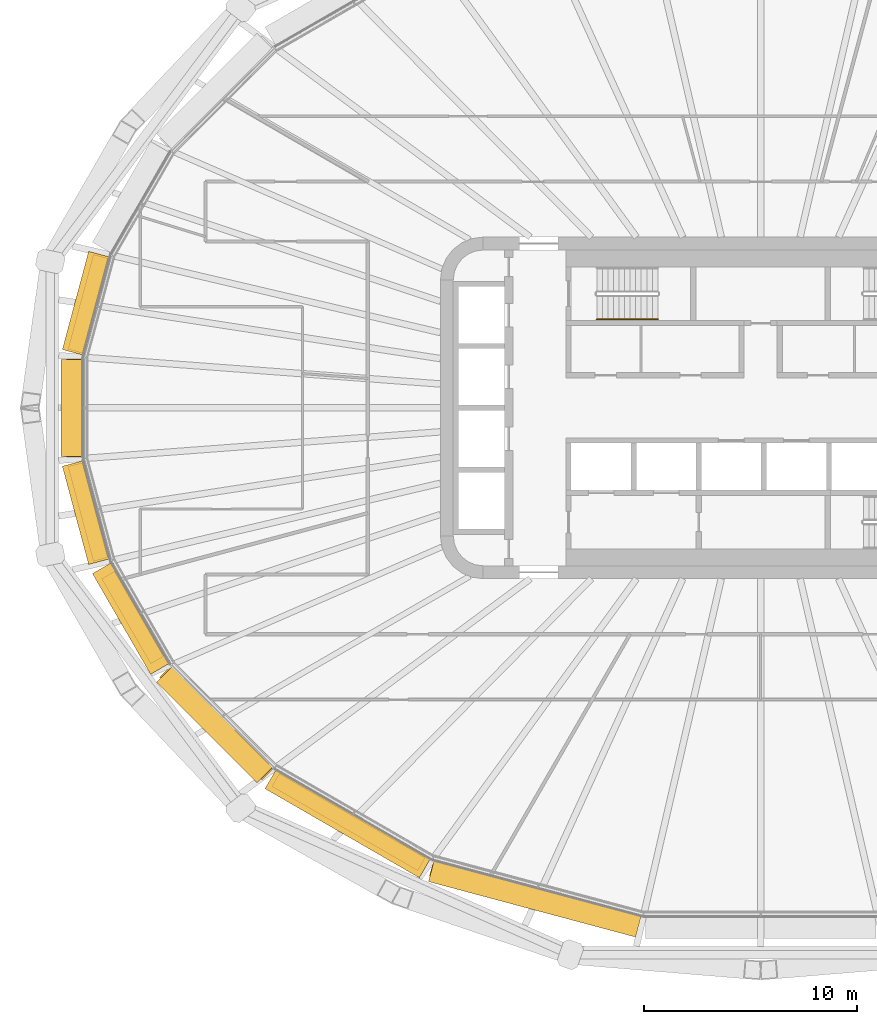
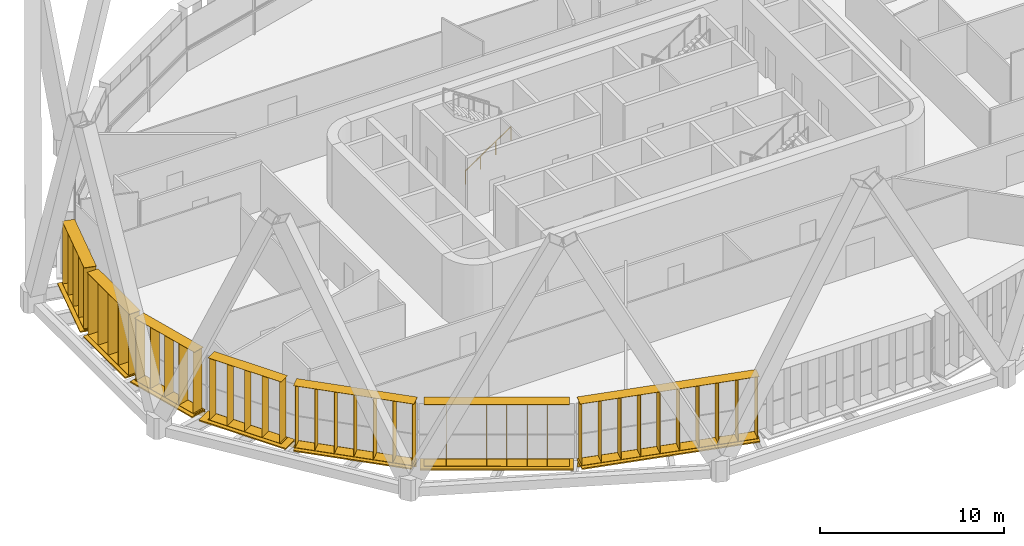
# One storey, part 21 of 26: 14 shading devices, 1 railing.
"""IFC4 building model written with IfcOpenShell, lengths in metres."""

from ifc_helpers import new_model, si_unit, direction, frame, origin, origin_2d, place, context, subcontext, project, spatial, rectangle, circle, extrude, material, type_object, element, save


model = new_model("IFC4")

# Units and contexts
model_context = context("Model", 3, precision=1e-05, world=origin(), true_north=direction((0.0, 1.0)))
body_context = subcontext(model_context, "Body", "Model", "MODEL_VIEW")
ifc_project = project(units=[si_unit("LENGTHUNIT", "METRE"), si_unit("AREAUNIT", "SQUARE_METRE"), si_unit("VOLUMEUNIT", "CUBIC_METRE"), si_unit("PLANEANGLEUNIT", "RADIAN"), si_unit("MASSUNIT", "GRAM", prefix="KILO")], contexts=[model_context])

# Site, building, storey
site_placement = place(None, origin())
site = spatial("IfcSite", under=ifc_project, at=site_placement, CompositionType="ELEMENT")
building_placement = place(site_placement, origin())
building = spatial("IfcBuilding", under=site, at=building_placement, Name="Sahrelin Media Tower", CompositionType="ELEMENT")
storey_placement = place(building_placement, frame((0.0, 0.0, 131.39990234375)))
storey = spatial("IfcBuildingStorey", under=building, at=storey_placement, Name="L26", CompositionType="ELEMENT", Elevation=131.39990234375)

# Shading devices
ifc_material_1 = material(Name="Champagne anodised aluminium 6063-T6", Category="aluminium")
shading_device_type_1 = type_object("IfcShadingDeviceType", Name="Fin cassette", PredefinedType="USERDEFINED", material=ifc_material_1)
placement_1 = place(storey_placement, frame((-31.107421875, 4.76806640625, 0.0), z_axis=(0.0, 0.0, 1.0), x_axis=(0.258807731996, 0.965928857556, 0.0)))
element("IfcShadingDevice", 1, at=placement_1, inside=storey, type_object=shading_device_type_1, Name="L26:FIN:L26-11", ObjectType="FIN", PredefinedType="USERDEFINED", context=body_context, shape_type="SweptSolid", body=[
    extrude(rectangle(XDim=4.60009765625, YDim=0.699951171875, at=origin_2d()), frame((0.0, 0.419921875, 0.0)), (0.0, 0.0, 1.0), 0.02001953125),
    extrude(rectangle(XDim=4.60009765625, YDim=0.699951171875, at=origin_2d()), frame((0.0, 0.419921875, 4.10009765625)), (0.0, 0.0, 1.0), 0.02001953125),
    extrude(rectangle(XDim=0.02001953125, YDim=0.699951171875, at=origin_2d()), frame((-2.199951171875, 0.419921875, 0.010009765625), z_axis=(0.0, 0.0, 1.0), x_axis=(1.0, 0.0, 0.0)), (0.0, 0.0, 1.0), 4.10009765625),
    extrude(rectangle(XDim=0.02001953125, YDim=0.699951171875, at=origin_2d()), frame((-1.10009765625, 0.419921875, 0.010009765625), z_axis=(0.0, 0.0, 1.0), x_axis=(1.0, 0.0, 0.0)), (0.0, 0.0, 1.0), 4.10009765625),
    extrude(rectangle(XDim=0.02001953125, YDim=0.699951171875, at=origin_2d()), frame((0.0, 0.419921875, 0.010009765625), z_axis=(0.0, 0.0, 1.0), x_axis=(1.0, 0.0, 0.0)), (0.0, 0.0, 1.0), 4.10009765625),
    extrude(rectangle(XDim=0.02001953125, YDim=0.699951171875, at=origin_2d()), frame((1.10009765625, 0.419921875, 0.010009765625), z_axis=(0.0, 0.0, 1.0), x_axis=(1.0, 0.0, 0.0)), (0.0, 0.0, 1.0), 4.10009765625),
    extrude(rectangle(XDim=0.02001953125, YDim=0.699951171875, at=origin_2d()), frame((2.199951171875, 0.419921875, 0.010009765625), z_axis=(0.0, 0.0, 1.0), x_axis=(1.0, 0.0, 0.0)), (0.0, 0.0, 1.0), 4.10009765625),
])
placement_2 = place(storey_placement, frame((-31.749267578125, 0.0, 0.0), z_axis=(0.0, 0.0, 1.0), x_axis=(0.0, 1.0, 0.0)))
element("IfcShadingDevice", 2, at=placement_2, inside=storey, type_object=shading_device_type_1, Name="L26:FIN:L26-12", ObjectType="FIN", PredefinedType="USERDEFINED", context=body_context, shape_type="SweptSolid", body=[
    extrude(rectangle(XDim=4.60009765625, YDim=0.699951171875, at=origin_2d()), frame((0.0, 0.419921875, 0.0)), (0.0, 0.0, 1.0), 0.02001953125),
    extrude(rectangle(XDim=4.60009765625, YDim=0.699951171875, at=origin_2d()), frame((0.0, 0.419921875, 4.10009765625)), (0.0, 0.0, 1.0), 0.02001953125),
    extrude(rectangle(XDim=0.02001953125, YDim=0.699951171875, at=origin_2d()), frame((-2.199951171875, 0.419921875, 0.010009765625), z_axis=(0.0, 0.0, 1.0), x_axis=(1.0, 0.0, 0.0)), (0.0, 0.0, 1.0), 4.10009765625),
    extrude(rectangle(XDim=0.02001953125, YDim=0.699951171875, at=origin_2d()), frame((-1.10009765625, 0.419921875, 0.010009765625), z_axis=(0.0, 0.0, 1.0), x_axis=(1.0, 0.0, 0.0)), (0.0, 0.0, 1.0), 4.10009765625),
    extrude(rectangle(XDim=0.02001953125, YDim=0.699951171875, at=origin_2d()), frame((0.0, 0.419921875, 0.010009765625), z_axis=(0.0, 0.0, 1.0), x_axis=(1.0, 0.0, 0.0)), (0.0, 0.0, 1.0), 4.10009765625),
    extrude(rectangle(XDim=0.02001953125, YDim=0.699951171875, at=origin_2d()), frame((1.10009765625, 0.419921875, 0.010009765625), z_axis=(0.0, 0.0, 1.0), x_axis=(1.0, 0.0, 0.0)), (0.0, 0.0, 1.0), 4.10009765625),
    extrude(rectangle(XDim=0.02001953125, YDim=0.699951171875, at=origin_2d()), frame((2.199951171875, 0.419921875, 0.010009765625), z_axis=(0.0, 0.0, 1.0), x_axis=(1.0, 0.0, 0.0)), (0.0, 0.0, 1.0), 4.10009765625),
])
placement_3 = place(storey_placement, frame((-31.107421875, -4.76806640625, 0.0), z_axis=(0.0, 0.0, 1.0), x_axis=(-0.258807731996, 0.965928857556, 0.0)))
element("IfcShadingDevice", 3, at=placement_3, inside=storey, type_object=shading_device_type_1, Name="L26:FIN:L26-13", ObjectType="FIN", PredefinedType="USERDEFINED", context=body_context, shape_type="SweptSolid", body=[
    extrude(rectangle(XDim=4.60009765625, YDim=0.699951171875, at=origin_2d()), frame((0.0, 0.419921875, 0.0)), (0.0, 0.0, 1.0), 0.02001953125),
    extrude(rectangle(XDim=4.60009765625, YDim=0.699951171875, at=origin_2d()), frame((0.0, 0.419921875, 4.10009765625)), (0.0, 0.0, 1.0), 0.02001953125),
    extrude(rectangle(XDim=0.02001953125, YDim=0.699951171875, at=origin_2d()), frame((-2.199951171875, 0.419921875, 0.010009765625), z_axis=(0.0, 0.0, 1.0), x_axis=(1.0, 0.0, 0.0)), (0.0, 0.0, 1.0), 4.10009765625),
    extrude(rectangle(XDim=0.02001953125, YDim=0.699951171875, at=origin_2d()), frame((-1.10009765625, 0.419921875, 0.010009765625), z_axis=(0.0, 0.0, 1.0), x_axis=(1.0, 0.0, 0.0)), (0.0, 0.0, 1.0), 4.10009765625),
    extrude(rectangle(XDim=0.02001953125, YDim=0.699951171875, at=origin_2d()), frame((0.0, 0.419921875, 0.010009765625), z_axis=(0.0, 0.0, 1.0), x_axis=(1.0, 0.0, 0.0)), (0.0, 0.0, 1.0), 4.10009765625),
    extrude(rectangle(XDim=0.02001953125, YDim=0.699951171875, at=origin_2d()), frame((1.10009765625, 0.419921875, 0.010009765625), z_axis=(0.0, 0.0, 1.0), x_axis=(1.0, 0.0, 0.0)), (0.0, 0.0, 1.0), 4.10009765625),
    extrude(rectangle(XDim=0.02001953125, YDim=0.699951171875, at=origin_2d()), frame((2.199951171875, 0.419921875, 0.010009765625), z_axis=(0.0, 0.0, 1.0), x_axis=(1.0, 0.0, 0.0)), (0.0, 0.0, 1.0), 4.10009765625),
])
placement_4 = place(storey_placement, frame((-29.053955078125, -9.608642578125, 0.0), z_axis=(0.0, 0.0, 1.0), x_axis=(-0.500011000363, 0.866019052629, 0.0)))
element("IfcShadingDevice", 4, at=placement_4, inside=storey, type_object=shading_device_type_1, Name="L26:FIN:L26-14", ObjectType="FIN", PredefinedType="USERDEFINED", context=body_context, shape_type="SweptSolid", body=[
    extrude(rectangle(XDim=4.60009765625, YDim=0.699951171875, at=origin_2d()), frame((0.0, 0.419921875, 0.0)), (0.0, 0.0, 1.0), 0.02001953125),
    extrude(rectangle(XDim=4.60009765625, YDim=0.699951171875, at=origin_2d()), frame((0.0, 0.419921875, 4.10009765625)), (0.0, 0.0, 1.0), 0.02001953125),
    extrude(rectangle(XDim=0.02001953125, YDim=0.699951171875, at=origin_2d()), frame((-2.199951171875, 0.419921875, 0.010009765625), z_axis=(0.0, 0.0, 1.0), x_axis=(1.0, 0.0, 0.0)), (0.0, 0.0, 1.0), 4.10009765625),
    extrude(rectangle(XDim=0.02001953125, YDim=0.699951171875, at=origin_2d()), frame((-1.10009765625, 0.419921875, 0.010009765625), z_axis=(0.0, 0.0, 1.0), x_axis=(1.0, 0.0, 0.0)), (0.0, 0.0, 1.0), 4.10009765625),
    extrude(rectangle(XDim=0.02001953125, YDim=0.699951171875, at=origin_2d()), frame((0.0, 0.419921875, 0.010009765625), z_axis=(0.0, 0.0, 1.0), x_axis=(1.0, 0.0, 0.0)), (0.0, 0.0, 1.0), 4.10009765625),
    extrude(rectangle(XDim=0.02001953125, YDim=0.699951171875, at=origin_2d()), frame((1.10009765625, 0.419921875, 0.010009765625), z_axis=(0.0, 0.0, 1.0), x_axis=(1.0, 0.0, 0.0)), (0.0, 0.0, 1.0), 4.10009765625),
    extrude(rectangle(XDim=0.02001953125, YDim=0.699951171875, at=origin_2d()), frame((2.199951171875, 0.419921875, 0.010009765625), z_axis=(0.0, 0.0, 1.0), x_axis=(1.0, 0.0, 0.0)), (0.0, 0.0, 1.0), 4.10009765625),
])
placement_5 = place(storey_placement, frame((-25.2177734375, -14.477783203125, 0.0), z_axis=(0.0, 0.0, 1.0), x_axis=(-0.707106781187, 0.707106781187, 0.0)))
element("IfcShadingDevice", 5, at=placement_5, inside=storey, type_object=shading_device_type_1, Name="L26:FIN:L26-15", ObjectType="FIN", PredefinedType="USERDEFINED", context=body_context, shape_type="SweptSolid", body=[
    extrude(rectangle(XDim=6.800048828125, YDim=0.699951171875, at=origin_2d()), frame((0.0, 0.419921875, 0.0)), (0.0, 0.0, 1.0), 0.02001953125),
    extrude(rectangle(XDim=6.800048828125, YDim=0.699951171875, at=origin_2d()), frame((0.0, 0.419921875, 4.10009765625)), (0.0, 0.0, 1.0), 0.02001953125),
    extrude(rectangle(XDim=0.02001953125, YDim=0.699951171875, at=origin_2d()), frame((-3.300048828125, 0.419921875, 0.010009765625), z_axis=(0.0, 0.0, 1.0), x_axis=(1.0, 0.0, 0.0)), (0.0, 0.0, 1.0), 4.10009765625),
    extrude(rectangle(XDim=0.02001953125, YDim=0.699951171875, at=origin_2d()), frame((-2.199951171875, 0.419921875, 0.010009765625), z_axis=(0.0, 0.0, 1.0), x_axis=(1.0, 0.0, 0.0)), (0.0, 0.0, 1.0), 4.10009765625),
    extrude(rectangle(XDim=0.02001953125, YDim=0.699951171875, at=origin_2d()), frame((-1.10009765625, 0.419921875, 0.010009765625), z_axis=(0.0, 0.0, 1.0), x_axis=(1.0, 0.0, 0.0)), (0.0, 0.0, 1.0), 4.10009765625),
    extrude(rectangle(XDim=0.02001953125, YDim=0.699951171875, at=origin_2d()), frame((0.0, 0.419921875, 0.010009765625), z_axis=(0.0, 0.0, 1.0), x_axis=(1.0, 0.0, 0.0)), (0.0, 0.0, 1.0), 4.10009765625),
    extrude(rectangle(XDim=0.02001953125, YDim=0.699951171875, at=origin_2d()), frame((1.10009765625, 0.419921875, 0.010009765625), z_axis=(0.0, 0.0, 1.0), x_axis=(1.0, 0.0, 0.0)), (0.0, 0.0, 1.0), 4.10009765625),
    extrude(rectangle(XDim=0.02001953125, YDim=0.699951171875, at=origin_2d()), frame((2.199951171875, 0.419921875, 0.010009765625), z_axis=(0.0, 0.0, 1.0), x_axis=(1.0, 0.0, 0.0)), (0.0, 0.0, 1.0), 4.10009765625),
    extrude(rectangle(XDim=0.02001953125, YDim=0.699951171875, at=origin_2d()), frame((3.300048828125, 0.419921875, 0.010009765625), z_axis=(0.0, 0.0, 1.0), x_axis=(1.0, 0.0, 0.0)), (0.0, 0.0, 1.0), 4.10009765625),
])
placement_6 = place(storey_placement, frame((-19.092041015625, -19.039306640625, 0.0), z_axis=(0.0, 0.0, 1.0), x_axis=(-0.866019052629, 0.500011000363, 0.0)))
element("IfcShadingDevice", 6, at=placement_6, inside=storey, type_object=shading_device_type_1, Name="L26:FIN:L26-16", ObjectType="FIN", PredefinedType="USERDEFINED", context=body_context, shape_type="SweptSolid", body=[
    extrude(rectangle(XDim=7.89990234375, YDim=0.699951171875, at=origin_2d()), frame((0.0, 0.419921875, 0.0)), (0.0, 0.0, 1.0), 0.02001953125),
    extrude(rectangle(XDim=7.89990234375, YDim=0.699951171875, at=origin_2d()), frame((0.0, 0.419921875, 4.10009765625)), (0.0, 0.0, 1.0), 0.02001953125),
    extrude(rectangle(XDim=0.02001953125, YDim=0.699951171875, at=origin_2d()), frame((-3.85009765625, 0.419921875, 0.010009765625), z_axis=(0.0, 0.0, 1.0), x_axis=(1.0, 0.0, 0.0)), (0.0, 0.0, 1.0), 4.10009765625),
    extrude(rectangle(XDim=0.02001953125, YDim=0.699951171875, at=origin_2d()), frame((-2.75, 0.419921875, 0.010009765625), z_axis=(0.0, 0.0, 1.0), x_axis=(1.0, 0.0, 0.0)), (0.0, 0.0, 1.0), 4.10009765625),
    extrude(rectangle(XDim=0.02001953125, YDim=0.699951171875, at=origin_2d()), frame((-1.64990234375, 0.419921875, 0.010009765625), z_axis=(0.0, 0.0, 1.0), x_axis=(1.0, 0.0, 0.0)), (0.0, 0.0, 1.0), 4.10009765625),
    extrude(rectangle(XDim=0.02001953125, YDim=0.699951171875, at=origin_2d()), frame((-0.550048828125, 0.419921875, 0.010009765625), z_axis=(0.0, 0.0, 1.0), x_axis=(1.0, 0.0, 0.0)), (0.0, 0.0, 1.0), 4.10009765625),
    extrude(rectangle(XDim=0.02001953125, YDim=0.699951171875, at=origin_2d()), frame((0.550048828125, 0.419921875, 0.010009765625), z_axis=(0.0, 0.0, 1.0), x_axis=(1.0, 0.0, 0.0)), (0.0, 0.0, 1.0), 4.10009765625),
    extrude(rectangle(XDim=0.02001953125, YDim=0.699951171875, at=origin_2d()), frame((1.64990234375, 0.419921875, 0.010009765625), z_axis=(0.0, 0.0, 1.0), x_axis=(1.0, 0.0, 0.0)), (0.0, 0.0, 1.0), 4.10009765625),
    extrude(rectangle(XDim=0.02001953125, YDim=0.699951171875, at=origin_2d()), frame((2.75, 0.419921875, 0.010009765625), z_axis=(0.0, 0.0, 1.0), x_axis=(1.0, 0.0, 0.0)), (0.0, 0.0, 1.0), 4.10009765625),
    extrude(rectangle(XDim=0.02001953125, YDim=0.699951171875, at=origin_2d()), frame((3.85009765625, 0.419921875, 0.010009765625), z_axis=(0.0, 0.0, 1.0), x_axis=(1.0, 0.0, 0.0)), (0.0, 0.0, 1.0), 4.10009765625),
])
placement_7 = place(storey_placement, frame((-10.4443359375, -22.501708984375, 0.0), z_axis=(0.0, 0.0, 1.0), x_axis=(-0.965928857556, 0.258807731996, 0.0)))
element("IfcShadingDevice", 7, at=placement_7, inside=storey, type_object=shading_device_type_1, Name="L26:FIN:L26-17", ObjectType="FIN", PredefinedType="USERDEFINED", context=body_context, shape_type="SweptSolid", body=[
    extrude(rectangle(XDim=10.10009765625, YDim=0.699951171875, at=origin_2d()), frame((0.0, 0.419921875, 0.0)), (0.0, 0.0, 1.0), 0.02001953125),
    extrude(rectangle(XDim=10.10009765625, YDim=0.699951171875, at=origin_2d()), frame((0.0, 0.419921875, 4.10009765625)), (0.0, 0.0, 1.0), 0.02001953125),
    extrude(rectangle(XDim=0.02001953125, YDim=0.699951171875, at=origin_2d()), frame((-4.949951171875, 0.419921875, 0.010009765625), z_axis=(0.0, 0.0, 1.0), x_axis=(1.0, 0.0, 0.0)), (0.0, 0.0, 1.0), 4.10009765625),
    extrude(rectangle(XDim=0.02001953125, YDim=0.699951171875, at=origin_2d()), frame((-3.85009765625, 0.419921875, 0.010009765625), z_axis=(0.0, 0.0, 1.0), x_axis=(1.0, 0.0, 0.0)), (0.0, 0.0, 1.0), 4.10009765625),
    extrude(rectangle(XDim=0.02001953125, YDim=0.699951171875, at=origin_2d()), frame((-2.75, 0.419921875, 0.010009765625), z_axis=(0.0, 0.0, 1.0), x_axis=(1.0, 0.0, 0.0)), (0.0, 0.0, 1.0), 4.10009765625),
    extrude(rectangle(XDim=0.02001953125, YDim=0.699951171875, at=origin_2d()), frame((-1.64990234375, 0.419921875, 0.010009765625), z_axis=(0.0, 0.0, 1.0), x_axis=(1.0, 0.0, 0.0)), (0.0, 0.0, 1.0), 4.10009765625),
    extrude(rectangle(XDim=0.02001953125, YDim=0.699951171875, at=origin_2d()), frame((-0.550048828125, 0.419921875, 0.010009765625), z_axis=(0.0, 0.0, 1.0), x_axis=(1.0, 0.0, 0.0)), (0.0, 0.0, 1.0), 4.10009765625),
    extrude(rectangle(XDim=0.02001953125, YDim=0.699951171875, at=origin_2d()), frame((0.550048828125, 0.419921875, 0.010009765625), z_axis=(0.0, 0.0, 1.0), x_axis=(1.0, 0.0, 0.0)), (0.0, 0.0, 1.0), 4.10009765625),
    extrude(rectangle(XDim=0.02001953125, YDim=0.699951171875, at=origin_2d()), frame((1.64990234375, 0.419921875, 0.010009765625), z_axis=(0.0, 0.0, 1.0), x_axis=(1.0, 0.0, 0.0)), (0.0, 0.0, 1.0), 4.10009765625),
    extrude(rectangle(XDim=0.02001953125, YDim=0.699951171875, at=origin_2d()), frame((2.75, 0.419921875, 0.010009765625), z_axis=(0.0, 0.0, 1.0), x_axis=(1.0, 0.0, 0.0)), (0.0, 0.0, 1.0), 4.10009765625),
    extrude(rectangle(XDim=0.02001953125, YDim=0.699951171875, at=origin_2d()), frame((3.85009765625, 0.419921875, 0.010009765625), z_axis=(0.0, 0.0, 1.0), x_axis=(1.0, 0.0, 0.0)), (0.0, 0.0, 1.0), 4.10009765625),
    extrude(rectangle(XDim=0.02001953125, YDim=0.699951171875, at=origin_2d()), frame((4.949951171875, 0.419921875, 0.010009765625), z_axis=(0.0, 0.0, 1.0), x_axis=(1.0, 0.0, 0.0)), (0.0, 0.0, 1.0), 4.10009765625),
])

# Railing
ifc_material_2 = material(Name="Steel S355", Category="steel")
railing_type = type_object("IfcRailingType", Name="Stair handrail 900", PredefinedType="HANDRAIL", material=ifc_material_2)
railing_placement = place(storey_placement, frame((-7.675048828125, 4.14990234375, 0.175048828125)))
element("IfcRailing", 8, at=railing_placement, inside=storey, type_object=railing_type, Name="L26 ST1 stair handrail 1", PredefinedType="HANDRAIL", context=body_context, shape_type="SweptSolid", body=[
    extrude(circle(Radius=0.02392578125, at=origin_2d()), frame((0.0, 0.0, 0.8759765625), z_axis=(0.829590901723, 0.0, 0.558371682465), x_axis=(0.0, 1.0, 0.0)), (0.0, 0.0, 1.0), 3.447509765625),
    extrude(circle(Radius=0.02099609375, at=origin_2d()), origin(), (0.0, 0.0, 1.0), 0.851806640625),
    extrude(circle(Radius=0.02099609375, at=origin_2d()), frame((0.953369140625, 0.0, 0.6416015625)), (0.0, 0.0, 1.0), 0.851806640625),
    extrude(circle(Radius=0.02099609375, at=origin_2d()), frame((1.90673828125, 0.0, 1.283447265625)), (0.0, 0.0, 1.0), 0.851806640625),
    extrude(circle(Radius=0.02099609375, at=origin_2d()), frame((2.860107421875, 0.0, 1.925048828125)), (0.0, 0.0, 1.0), 0.851806640625),
])

# Shading devices
shading_device_type_2 = type_object("IfcShadingDeviceType", Name="Sunshade band", PredefinedType="USERDEFINED", material=ifc_material_1)
element("IfcShadingDevice", 9, at=placement_1, inside=storey, type_object=shading_device_type_2, Name="L26:SUN:L26-11", ObjectType="SUNSHADE", PredefinedType="USERDEFINED", context=body_context, shape_type="SweptSolid", body=[
    extrude(rectangle(XDim=4.761474609375, YDim=0.050048828125, at=origin_2d()), frame((0.0, 0.044921875, -0.55126953125)), (0.0, 0.0, 1.0), 0.471435546875),
    extrude(rectangle(XDim=4.761474609375, YDim=1.0, at=origin_2d()), frame((0.0, 0.52001953125, -0.080078125)), (0.0, 0.0, 1.0), 0.080078125),
    extrude(rectangle(XDim=0.10009765625, YDim=0.074951171875, at=origin_2d()), frame((-2.28076171875, -0.017578125, -0.47021484375)), (0.0, 0.0, 1.0), 0.300048828125),
    extrude(rectangle(XDim=0.10009765625, YDim=0.074951171875, at=origin_2d()), frame((-0.76025390625, -0.017578125, -0.47021484375)), (0.0, 0.0, 1.0), 0.300048828125),
    extrude(rectangle(XDim=0.10009765625, YDim=0.074951171875, at=origin_2d()), frame((0.76025390625, -0.017578125, -0.47021484375)), (0.0, 0.0, 1.0), 0.300048828125),
    extrude(rectangle(XDim=0.10009765625, YDim=0.074951171875, at=origin_2d()), frame((2.28076171875, -0.017578125, -0.47021484375)), (0.0, 0.0, 1.0), 0.300048828125),
])
element("IfcShadingDevice", 10, at=placement_2, inside=storey, type_object=shading_device_type_2, Name="L26:SUN:L26-12", ObjectType="SUNSHADE", PredefinedType="USERDEFINED", context=body_context, shape_type="SweptSolid", body=[
    extrude(rectangle(XDim=4.543701171875, YDim=0.050048828125, at=origin_2d()), frame((0.0, 0.044921875, -0.55126953125)), (0.0, 0.0, 1.0), 0.471435546875),
    extrude(rectangle(XDim=4.543701171875, YDim=1.0, at=origin_2d()), frame((0.0, 0.52001953125, -0.080078125)), (0.0, 0.0, 1.0), 0.080078125),
    extrude(rectangle(XDim=0.10009765625, YDim=0.074951171875, at=origin_2d()), frame((-2.171875, -0.017578125, -0.47021484375)), (0.0, 0.0, 1.0), 0.300048828125),
    extrude(rectangle(XDim=0.10009765625, YDim=0.074951171875, at=origin_2d()), frame((-0.72412109375, -0.017578125, -0.47021484375)), (0.0, 0.0, 1.0), 0.300048828125),
    extrude(rectangle(XDim=0.10009765625, YDim=0.074951171875, at=origin_2d()), frame((0.72412109375, -0.017578125, -0.47021484375)), (0.0, 0.0, 1.0), 0.300048828125),
    extrude(rectangle(XDim=0.10009765625, YDim=0.074951171875, at=origin_2d()), frame((2.171875, -0.017578125, -0.47021484375)), (0.0, 0.0, 1.0), 0.300048828125),
])
element("IfcShadingDevice", 11, at=placement_3, inside=storey, type_object=shading_device_type_2, Name="L26:SUN:L26-13", ObjectType="SUNSHADE", PredefinedType="USERDEFINED", context=body_context, shape_type="SweptSolid", body=[
    extrude(rectangle(XDim=4.761474609375, YDim=0.050048828125, at=origin_2d()), frame((0.0, 0.044921875, -0.55126953125)), (0.0, 0.0, 1.0), 0.471435546875),
    extrude(rectangle(XDim=4.761474609375, YDim=1.0, at=origin_2d()), frame((0.0, 0.52001953125, -0.080078125)), (0.0, 0.0, 1.0), 0.080078125),
    extrude(rectangle(XDim=0.10009765625, YDim=0.074951171875, at=origin_2d()), frame((-2.28076171875, -0.017578125, -0.47021484375)), (0.0, 0.0, 1.0), 0.300048828125),
    extrude(rectangle(XDim=0.10009765625, YDim=0.074951171875, at=origin_2d()), frame((-0.76025390625, -0.017578125, -0.47021484375)), (0.0, 0.0, 1.0), 0.300048828125),
    extrude(rectangle(XDim=0.10009765625, YDim=0.074951171875, at=origin_2d()), frame((0.76025390625, -0.017578125, -0.47021484375)), (0.0, 0.0, 1.0), 0.300048828125),
    extrude(rectangle(XDim=0.10009765625, YDim=0.074951171875, at=origin_2d()), frame((2.28076171875, -0.017578125, -0.47021484375)), (0.0, 0.0, 1.0), 0.300048828125),
])
element("IfcShadingDevice", 12, at=placement_4, inside=storey, type_object=shading_device_type_2, Name="L26:SUN:L26-14", ObjectType="SUNSHADE", PredefinedType="USERDEFINED", context=body_context, shape_type="SweptSolid", body=[
    extrude(rectangle(XDim=5.445068359375, YDim=0.050048828125, at=origin_2d()), frame((0.0, 0.044921875, -0.55126953125)), (0.0, 0.0, 1.0), 0.471435546875),
    extrude(rectangle(XDim=5.445068359375, YDim=1.0, at=origin_2d()), frame((0.0, 0.52001953125, -0.080078125)), (0.0, 0.0, 1.0), 0.080078125),
    extrude(rectangle(XDim=0.10009765625, YDim=0.074951171875, at=origin_2d()), frame((-2.62255859375, -0.017578125, -0.47021484375)), (0.0, 0.0, 1.0), 0.300048828125),
    extrude(rectangle(XDim=0.10009765625, YDim=0.074951171875, at=origin_2d()), frame((-0.874267578125, -0.017578125, -0.47021484375)), (0.0, 0.0, 1.0), 0.300048828125),
    extrude(rectangle(XDim=0.10009765625, YDim=0.074951171875, at=origin_2d()), frame((0.874267578125, -0.017578125, -0.47021484375)), (0.0, 0.0, 1.0), 0.300048828125),
    extrude(rectangle(XDim=0.10009765625, YDim=0.074951171875, at=origin_2d()), frame((2.62255859375, -0.017578125, -0.47021484375)), (0.0, 0.0, 1.0), 0.300048828125),
])
element("IfcShadingDevice", 13, at=placement_5, inside=storey, type_object=shading_device_type_2, Name="L26:SUN:L26-15", ObjectType="SUNSHADE", PredefinedType="USERDEFINED", context=body_context, shape_type="SweptSolid", body=[
    extrude(rectangle(XDim=6.658203125, YDim=0.050048828125, at=origin_2d()), frame((0.0, 0.044921875, -0.55126953125)), (0.0, 0.0, 1.0), 0.471435546875),
    extrude(rectangle(XDim=6.658203125, YDim=1.0, at=origin_2d()), frame((0.0, 0.52001953125, -0.080078125)), (0.0, 0.0, 1.0), 0.080078125),
    extrude(rectangle(XDim=0.10009765625, YDim=0.074951171875, at=origin_2d()), frame((-3.22900390625, -0.017578125, -0.47021484375)), (0.0, 0.0, 1.0), 0.300048828125),
    extrude(rectangle(XDim=0.10009765625, YDim=0.074951171875, at=origin_2d()), frame((-1.614501953125, -0.017578125, -0.47021484375)), (0.0, 0.0, 1.0), 0.300048828125),
    extrude(rectangle(XDim=0.10009765625, YDim=0.074951171875, at=origin_2d()), frame((0.0, -0.017578125, -0.47021484375)), (0.0, 0.0, 1.0), 0.300048828125),
    extrude(rectangle(XDim=0.10009765625, YDim=0.074951171875, at=origin_2d()), frame((1.614501953125, -0.017578125, -0.47021484375)), (0.0, 0.0, 1.0), 0.300048828125),
    extrude(rectangle(XDim=0.10009765625, YDim=0.074951171875, at=origin_2d()), frame((3.22900390625, -0.017578125, -0.47021484375)), (0.0, 0.0, 1.0), 0.300048828125),
])
element("IfcShadingDevice", 14, at=placement_6, inside=storey, type_object=shading_device_type_2, Name="L26:SUN:L26-16", ObjectType="SUNSHADE", PredefinedType="USERDEFINED", context=body_context, shape_type="SweptSolid", body=[
    extrude(rectangle(XDim=8.347412109375, YDim=0.050048828125, at=origin_2d()), frame((0.0, 0.044921875, -0.55126953125)), (0.0, 0.0, 1.0), 0.471435546875),
    extrude(rectangle(XDim=8.347412109375, YDim=1.0, at=origin_2d()), frame((0.0, 0.52001953125, -0.080078125)), (0.0, 0.0, 1.0), 0.080078125),
    extrude(rectangle(XDim=0.10009765625, YDim=0.074951171875, at=origin_2d()), frame((-4.073486328125, -0.017578125, -0.47021484375)), (0.0, 0.0, 1.0), 0.300048828125),
    extrude(rectangle(XDim=0.10009765625, YDim=0.074951171875, at=origin_2d()), frame((-2.444091796875, -0.017578125, -0.47021484375)), (0.0, 0.0, 1.0), 0.300048828125),
    extrude(rectangle(XDim=0.10009765625, YDim=0.074951171875, at=origin_2d()), frame((-0.814697265625, -0.017578125, -0.47021484375)), (0.0, 0.0, 1.0), 0.300048828125),
    extrude(rectangle(XDim=0.10009765625, YDim=0.074951171875, at=origin_2d()), frame((0.814697265625, -0.017578125, -0.47021484375)), (0.0, 0.0, 1.0), 0.300048828125),
    extrude(rectangle(XDim=0.10009765625, YDim=0.074951171875, at=origin_2d()), frame((2.444091796875, -0.017578125, -0.47021484375)), (0.0, 0.0, 1.0), 0.300048828125),
    extrude(rectangle(XDim=0.10009765625, YDim=0.074951171875, at=origin_2d()), frame((4.073486328125, -0.017578125, -0.47021484375)), (0.0, 0.0, 1.0), 0.300048828125),
])
element("IfcShadingDevice", 15, at=placement_7, inside=storey, type_object=shading_device_type_2, Name="L26:SUN:L26-17", ObjectType="SUNSHADE", PredefinedType="USERDEFINED", context=body_context, shape_type="SweptSolid", body=[
    extrude(rectangle(XDim=10.0419921875, YDim=0.050048828125, at=origin_2d()), frame((0.0, 0.044921875, -0.55126953125)), (0.0, 0.0, 1.0), 0.471435546875),
    extrude(rectangle(XDim=10.0419921875, YDim=1.0, at=origin_2d()), frame((0.0, 0.52001953125, -0.080078125)), (0.0, 0.0, 1.0), 0.080078125),
    extrude(rectangle(XDim=0.10009765625, YDim=0.074951171875, at=origin_2d()), frame((-4.9208984375, -0.017578125, -0.47021484375)), (0.0, 0.0, 1.0), 0.300048828125),
    extrude(rectangle(XDim=0.10009765625, YDim=0.074951171875, at=origin_2d()), frame((-3.28076171875, -0.017578125, -0.47021484375)), (0.0, 0.0, 1.0), 0.300048828125),
    extrude(rectangle(XDim=0.10009765625, YDim=0.074951171875, at=origin_2d()), frame((-1.640380859375, -0.017578125, -0.47021484375)), (0.0, 0.0, 1.0), 0.300048828125),
    extrude(rectangle(XDim=0.10009765625, YDim=0.074951171875, at=origin_2d()), frame((0.0, -0.017578125, -0.47021484375)), (0.0, 0.0, 1.0), 0.300048828125),
    extrude(rectangle(XDim=0.10009765625, YDim=0.074951171875, at=origin_2d()), frame((1.640380859375, -0.017578125, -0.47021484375)), (0.0, 0.0, 1.0), 0.300048828125),
    extrude(rectangle(XDim=0.10009765625, YDim=0.074951171875, at=origin_2d()), frame((3.28076171875, -0.017578125, -0.47021484375)), (0.0, 0.0, 1.0), 0.300048828125),
    extrude(rectangle(XDim=0.10009765625, YDim=0.074951171875, at=origin_2d()), frame((4.9208984375, -0.017578125, -0.47021484375)), (0.0, 0.0, 1.0), 0.300048828125),
])

save(model, "model.ifc")
